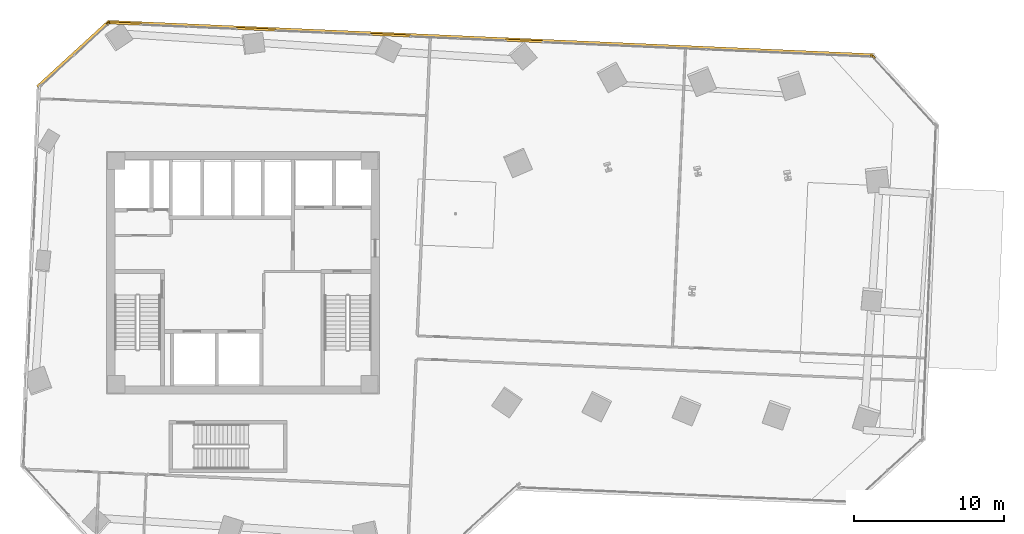
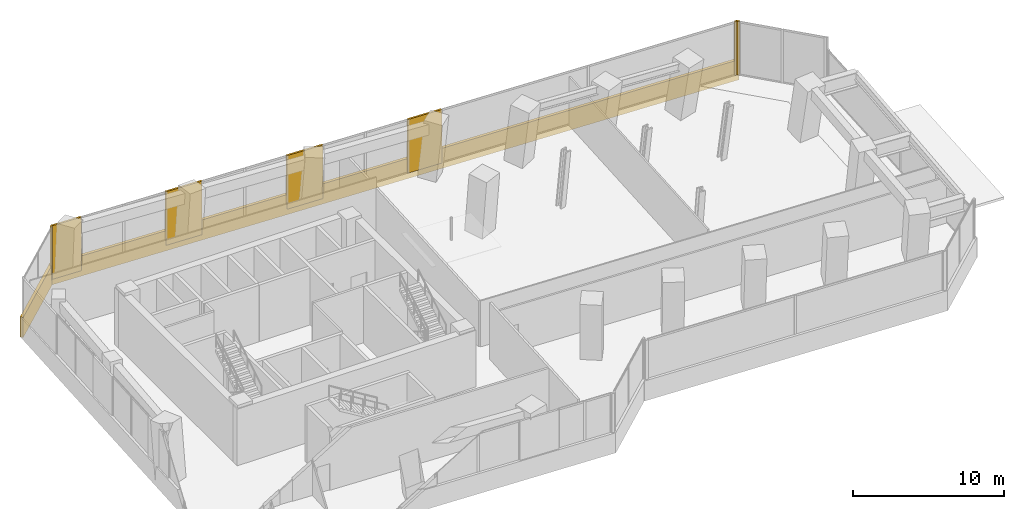
# One storey, part 27 of 27: 9 coverings.
"""IFC4 building model written with IfcOpenShell, lengths in metres."""

from ifc_helpers import new_model, si_unit, direction, frame, origin, origin_2d, place, context, subcontext, project, spatial, rectangle, extrude, source, transform, mapped, material, layer, layer_set, type_object, element, save


model = new_model("IFC4")

# Units and contexts
model_context = context("Model", 3, precision=1e-05, world=origin(), true_north=direction((0.0, 1.0)))
body_context = subcontext(model_context, "Body", "Model", "MODEL_VIEW")
ifc_project = project(units=[si_unit("LENGTHUNIT", "METRE"), si_unit("AREAUNIT", "SQUARE_METRE"), si_unit("VOLUMEUNIT", "CUBIC_METRE"), si_unit("PLANEANGLEUNIT", "RADIAN"), si_unit("MASSUNIT", "GRAM", prefix="KILO")], contexts=[model_context])

# Site, building, storey
site_placement = place(None, origin())
site = spatial("IfcSite", under=ifc_project, at=site_placement, CompositionType="ELEMENT")
building_placement = place(site_placement, origin())
building = spatial("IfcBuilding", under=site, at=building_placement, Name="Torre Montelarca", CompositionType="ELEMENT")
storey_placement = place(building_placement, frame((0.0, 0.0, 37.60009765625)))
storey = spatial("IfcBuildingStorey", under=building, at=storey_placement, Name="L08", CompositionType="ELEMENT", Elevation=37.60009765625)

# Coverings
ifc_material = material(Name="Bush-hammered warm white precast concrete C45/55", Category="concrete")
ifc_layer = layer(ifc_material, 0.139892578125, Name="Bush-hammered warm white precast concrete C45/55", Category="concrete")
ifc_layer_set = layer_set([ifc_layer], Name="Bush-hammered warm white precast concrete C45/55")
covering_type = type_object("IfcCoveringType", Name="COV-TRAY-CLAD", PredefinedType="CLADDING", material=ifc_layer_set)
shared_shape_1 = source(origin(), body_context, "Body", "SweptSolid", [
    extrude(rectangle(XDim=0.199951171875, YDim=0.139892578125, at=origin_2d()), origin(), (0.0, 0.0, 1.0), 4.320068359375),
])
for number, where, z_axis, x_axis, name in (
    (1, (60.08251953125, 46.38525390625, 0.0), (0.0, 0.0, 1.0), (-0.675586347231, 0.737280874182, 0.0), "L08 Architectural Column Pier Cladding E07-2"),
    (2, (59.950927734375, 46.446533203125, 0.0), (0.0, 0.0, 1.0), (-0.99904814545, 0.043621131033, 0.0), "L08 Architectural Column Pier Cladding E08-1"),
    (3, (8.99462890625, 48.61572265625, 0.0), (0.0, 0.0, 1.0), (-0.737272620283, -0.675595354766, 0.0), "L08 Architectural Column Pier Cladding E09-1"),
):
    element("IfcCovering", number, at=place(storey_placement, frame(where, z_axis=z_axis, x_axis=x_axis)), inside=storey, type_object=covering_type, Name=name, PredefinedType="CLADDING", context=body_context, shape_type="MappedRepresentation", body=[
        mapped(shared_shape_1, transform((0.0, 0.0, 0.0), scale=1.0)),
    ])
shared_shape_2 = source(origin(), body_context, "Body", "SweptSolid", [
    extrude(rectangle(XDim=6.48388671875, YDim=0.219970703125, at=origin_2d()), origin(), (0.0, 0.0, 1.0), 1.6201171875),
])
covering_1_placement = place(storey_placement, frame((6.693603515625, 46.58837890625, -0.4501953125), z_axis=(0.0, 0.0, 1.0), x_axis=(-0.737271441145, -0.675596641548, 0.0)))
element("IfcCovering", 4, at=covering_1_placement, inside=storey, type_object=covering_type, Name="L08 Architectural White Spandrel Tray Band TRYBOT-09", PredefinedType="CLADDING", context=body_context, shape_type="MappedRepresentation", body=[
    mapped(shared_shape_2, transform((0.0, 0.0, 0.0), scale=1.0)),
])
shared_shape_3 = source(origin(), body_context, "Body", "SweptSolid", [
    extrude(rectangle(XDim=51.219970703125, YDim=0.219970703125, at=origin_2d()), origin(), (0.0, 0.0, 1.0), 1.6201171875),
])
covering_2_placement = place(storey_placement, frame((34.543701171875, 47.615966796875, -0.4501953125), z_axis=(0.0, 0.0, 1.0), x_axis=(-0.99904814545, 0.043621131033, 0.0)))
element("IfcCovering", 5, at=covering_2_placement, inside=storey, type_object=covering_type, Name="L08 Architectural White Spandrel Tray Band TRYBOT-08", PredefinedType="CLADDING", context=body_context, shape_type="MappedRepresentation", body=[
    mapped(shared_shape_3, transform((0.0, 0.0, 0.0), scale=1.0)),
])
shared_shape_4 = source(origin(), body_context, "Body", "SweptSolid", [
    extrude(rectangle(XDim=2.5234375, YDim=0.139892578125, at=origin_2d()), origin(), (0.0, 0.0, 1.0), 4.320068359375),
])
covering_3_placement = place(storey_placement, frame((36.7705078125, 47.458740234375, 0.0), z_axis=(0.0, 0.0, 1.0), x_axis=(-0.99904814545, 0.043621131033, 0.0)))
element("IfcCovering", 6, at=covering_3_placement, inside=storey, type_object=covering_type, Name="L08 Architectural Column Pier Cladding E08-2", PredefinedType="CLADDING", context=body_context, shape_type="MappedRepresentation", body=[
    mapped(shared_shape_4, transform((0.0, 0.0, 0.0), scale=1.0)),
])
shared_shape_5 = source(origin(), body_context, "Body", "SweptSolid", [
    extrude(rectangle(XDim=2.689208984375, YDim=0.139892578125, at=origin_2d()), origin(), (0.0, 0.0, 1.0), 4.320068359375),
])
covering_4_placement = place(storey_placement, frame((27.86181640625, 47.84765625, 0.0), z_axis=(0.0, 0.0, 1.0), x_axis=(-0.99904814545, 0.043621131033, 0.0)))
element("IfcCovering", 7, at=covering_4_placement, inside=storey, type_object=covering_type, Name="L08 Architectural Column Pier Cladding E08-3", PredefinedType="CLADDING", context=body_context, shape_type="MappedRepresentation", body=[
    mapped(shared_shape_5, transform((0.0, 0.0, 0.0), scale=1.0)),
])
shared_shape_6 = source(origin(), body_context, "Body", "SweptSolid", [
    extrude(rectangle(XDim=2.69140625, YDim=0.139892578125, at=origin_2d()), origin(), (0.0, 0.0, 1.0), 4.320068359375),
])
covering_5_placement = place(storey_placement, frame((18.87158203125, 48.240234375, 0.0), z_axis=(0.0, 0.0, 1.0), x_axis=(-0.99904814545, 0.043621131033, 0.0)))
element("IfcCovering", 8, at=covering_5_placement, inside=storey, type_object=covering_type, Name="L08 Architectural Column Pier Cladding E08-4", PredefinedType="CLADDING", context=body_context, shape_type="MappedRepresentation", body=[
    mapped(shared_shape_6, transform((0.0, 0.0, 0.0), scale=1.0)),
])
shared_shape_7 = source(origin(), body_context, "Body", "SweptSolid", [
    extrude(rectangle(XDim=2.197509765625, YDim=0.139892578125, at=origin_2d()), origin(), (0.0, 0.0, 1.0), 4.320068359375),
])
covering_6_placement = place(storey_placement, frame((10.12890625, 48.621826171875, 0.0), z_axis=(0.0, 0.0, 1.0), x_axis=(-0.99904814545, 0.043621131033, 0.0)))
element("IfcCovering", 9, at=covering_6_placement, inside=storey, type_object=covering_type, Name="L08 Architectural Column Pier Cladding E08-5", PredefinedType="CLADDING", context=body_context, shape_type="MappedRepresentation", body=[
    mapped(shared_shape_7, transform((0.0, 0.0, 0.0), scale=1.0)),
])

save(model, "model.ifc")
